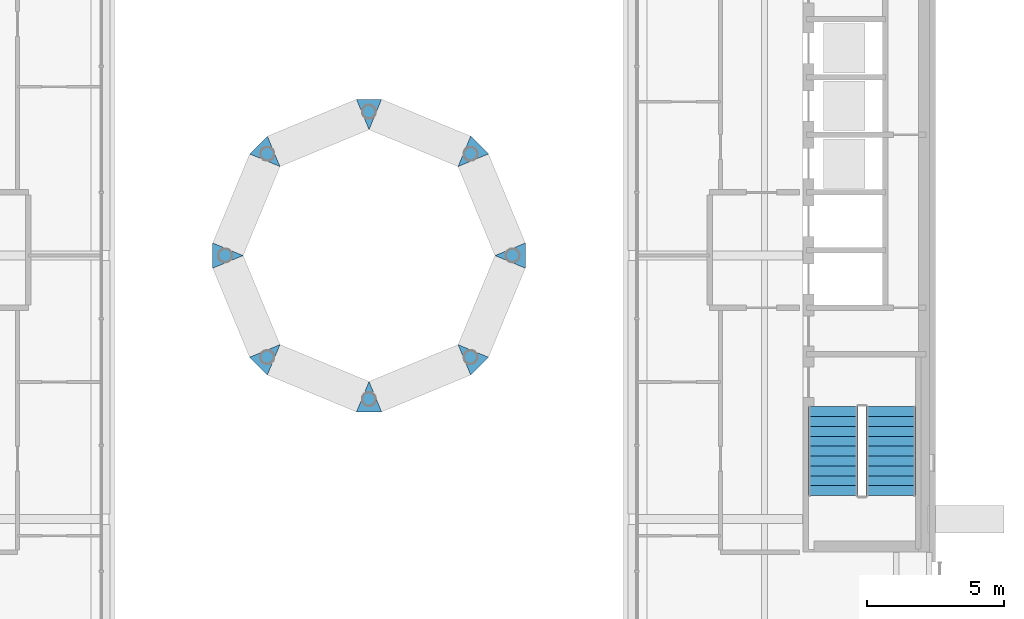
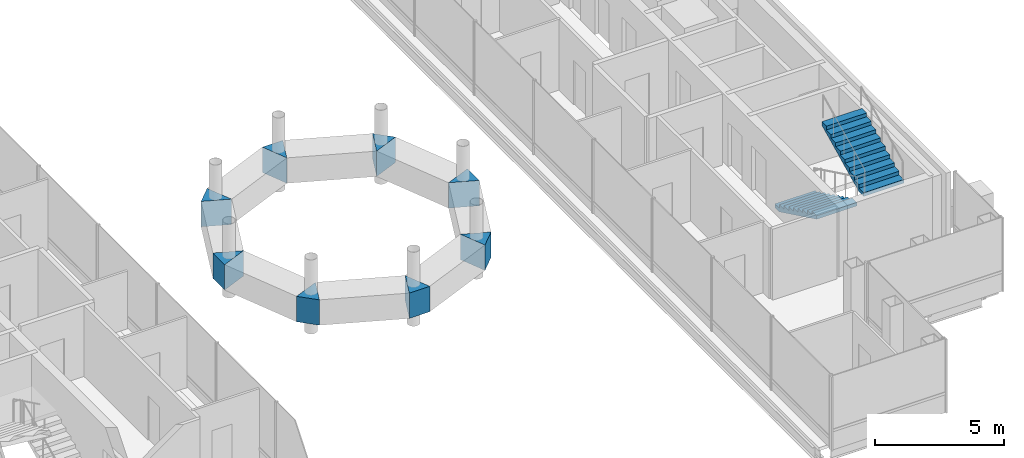
# One storey, part 19 of 21: 8 discrete accessories, 2 stair flights, 1 element without a shape of its own.
"""IFC4 building model written with IfcOpenShell, lengths in metres."""

from ifc_helpers import new_model, si_unit, direction, frame, origin, place, context, subcontext, project, spatial, polyline, outline, extrude, material, type_object, element, aggregate, save


model = new_model("IFC4")

# Units and contexts
model_context = context("Model", 3, precision=1e-05, world=origin(), true_north=direction((0.0, 1.0)))
body_context = subcontext(model_context, "Body", "Model", "MODEL_VIEW")
ifc_project = project(units=[si_unit("LENGTHUNIT", "METRE"), si_unit("AREAUNIT", "SQUARE_METRE"), si_unit("VOLUMEUNIT", "CUBIC_METRE"), si_unit("PLANEANGLEUNIT", "RADIAN"), si_unit("MASSUNIT", "GRAM", prefix="KILO")], contexts=[model_context])

# Site, building, storey
site_placement = place(None, origin())
site = spatial("IfcSite", under=ifc_project, at=site_placement, CompositionType="ELEMENT")
building_placement = place(site_placement, origin())
building = spatial("IfcBuilding", under=site, at=building_placement, Name="Cobrizo Arcos Hotel Tower", CompositionType="ELEMENT")
storey_placement = place(building_placement, frame((0.0, 0.0, 279.5)))
storey = spatial("IfcBuildingStorey", under=building, at=storey_placement, Name="L74", CompositionType="ELEMENT", Elevation=279.5)

# Stair, stair flights
ifc_material_1 = material(Name="Concrete f'c 40 MPa", Category="concrete")
stair_type = type_object("IfcStairType", Name="Exit stair", PredefinedType="HALF_TURN_STAIR", material=ifc_material_1)
stair_placement = place(storey_placement, origin())
stair = element("IfcStair", 1, at=stair_placement, inside=storey, type_object=stair_type, Name="L74 Exit stair ST-E", PredefinedType="HALF_TURN_STAIR")
stair_flight_type = type_object("IfcStairFlightType", Name="Exit stair flight", PredefinedType="STRAIGHT", material=ifc_material_1)
stair_flight_1_placement = place(storey_placement, frame((16.89990234375, -5.5, 0.0), z_axis=(0.0, 0.0, 1.0), x_axis=(0.0, -1.0, 0.0)))
stair_flight_1 = element("IfcStairFlight", 2, at=stair_flight_1_placement, type_object=stair_flight_type, Name="ST-E flight 1", NumberOfRisers=10, NumberOfTreads=9, PredefinedType="STRAIGHT", RiserHeight=0.175, TreadLength=0.36, context=body_context, shape_type="SweptSolid", body=[
    extrude(outline(polyline([(0.0, 0.0), (0.0, 0.175048828125), (0.360107421875, 0.175048828125), (0.360107421875, 0.35009765625), (0.719970703125, 0.35009765625), (0.719970703125, 0.52490234375), (1.080078125, 0.52490234375), (1.080078125, 0.699951171875), (1.43994140625, 0.699951171875), (1.43994140625, 0.875), (1.800048828125, 0.875), (1.800048828125, 1.050048828125), (2.159912109375, 1.050048828125), (2.159912109375, 1.22509765625), (2.52001953125, 1.22509765625), (2.52001953125, 1.39990234375), (2.8798828125, 1.39990234375), (2.8798828125, 1.574951171875), (3.239990234375, 1.574951171875), (3.239990234375, 1.75), (3.239990234375, 1.408203125), (0.3427734375, 0.0), (0.0, 0.0)])), frame((0.0, 0.89990234375, 0.0), z_axis=(0.0, -1.0, 0.0), x_axis=(1.0, 0.0, 0.0)), (0.0, 0.0, 1.0), 1.800048828125),
])
stair_flight_2_placement = place(storey_placement, frame((19.0, -8.739990234375, 1.75), z_axis=(0.0, 0.0, 1.0), x_axis=(0.0, 1.0, 0.0)))
stair_flight_2 = element("IfcStairFlight", 3, at=stair_flight_2_placement, type_object=stair_flight_type, Name="ST-E flight 2", NumberOfRisers=10, NumberOfTreads=9, PredefinedType="STRAIGHT", RiserHeight=0.175, TreadLength=0.36, context=body_context, shape_type="SweptSolid", body=[
    extrude(outline(polyline([(0.0, 0.0), (0.0, 0.175048828125), (0.360107421875, 0.175048828125), (0.360107421875, 0.35009765625), (0.719970703125, 0.35009765625), (0.719970703125, 0.52490234375), (1.080078125, 0.52490234375), (1.080078125, 0.699951171875), (1.43994140625, 0.699951171875), (1.43994140625, 0.875), (1.800048828125, 0.875), (1.800048828125, 1.050048828125), (2.159912109375, 1.050048828125), (2.159912109375, 1.22509765625), (2.52001953125, 1.22509765625), (2.52001953125, 1.39990234375), (2.8798828125, 1.39990234375), (2.8798828125, 1.574951171875), (3.239990234375, 1.574951171875), (3.239990234375, 1.75), (3.239990234375, 1.408203125), (0.3427734375, 0.0), (0.0, 0.0)])), frame((0.0, 0.89990234375, 0.0), z_axis=(0.0, -1.0, 0.0), x_axis=(1.0, 0.0, 0.0)), (0.0, 0.0, 1.0), 1.800048828125),
])
aggregate(stair, [stair_flight_1, stair_flight_2])

# Discrete accessories
ifc_material_2 = material(Name="Steel ASTM A572 Grade 50", Category="steel")
discrete_accessory_type = type_object("IfcDiscreteAccessoryType", Name="DN-1 drum corner node", PredefinedType="BRACKET", material=ifc_material_2)
discrete_accessory_1_placement = place(storey_placement, frame((0.0, 0.0, 0.63330078125)))
element("IfcDiscreteAccessory", 4, at=discrete_accessory_1_placement, inside=storey, type_object=discrete_accessory_type, Name="Drum corner node", PredefinedType="BRACKET", context=body_context, shape_type="SweptSolid", body=[
    extrude(outline(polyline([(5.69189453125, -0.459228515625), (4.583251953125, 0.0), (4.583251953125, 0.0), (5.69189453125, 0.459228515625), (5.69189453125, -0.459228515625)])), origin(), (0.0, 0.0, 1.0), 1.199951171875),
])
discrete_accessory_2_placement = place(storey_placement, frame((0.0, 0.0, 0.63330078125)))
element("IfcDiscreteAccessory", 5, at=discrete_accessory_2_placement, inside=storey, type_object=discrete_accessory_type, Name="Drum corner node", PredefinedType="BRACKET", context=body_context, shape_type="SweptSolid", body=[
    extrude(outline(polyline([(3.24072265625, 3.24072265625), (3.24072265625, 3.24072265625), (3.699951171875, 4.349365234375), (4.349365234375, 3.699951171875), (3.24072265625, 3.24072265625)])), origin(), (0.0, 0.0, 1.0), 1.199951171875),
])
discrete_accessory_3_placement = place(storey_placement, frame((0.0, 0.0, 0.63330078125)))
element("IfcDiscreteAccessory", 6, at=discrete_accessory_3_placement, inside=storey, type_object=discrete_accessory_type, Name="Drum corner node", PredefinedType="BRACKET", context=body_context, shape_type="SweptSolid", body=[
    extrude(outline(polyline([(0.0, 4.583251953125), (-0.459228515625, 5.69189453125), (0.459228515625, 5.69189453125), (0.0, 4.583251953125), (0.0, 4.583251953125)])), origin(), (0.0, 0.0, 1.0), 1.199951171875),
])
discrete_accessory_4_placement = place(storey_placement, frame((0.0, 0.0, 0.63330078125)))
element("IfcDiscreteAccessory", 7, at=discrete_accessory_4_placement, inside=storey, type_object=discrete_accessory_type, Name="Drum corner node", PredefinedType="BRACKET", context=body_context, shape_type="SweptSolid", body=[
    extrude(outline(polyline([(-3.24072265625, 3.24072265625), (-4.349365234375, 3.699951171875), (-3.699951171875, 4.349365234375), (-3.24072265625, 3.24072265625), (-3.24072265625, 3.24072265625)])), origin(), (0.0, 0.0, 1.0), 1.199951171875),
])
discrete_accessory_5_placement = place(storey_placement, frame((0.0, 0.0, 0.63330078125)))
element("IfcDiscreteAccessory", 8, at=discrete_accessory_5_placement, inside=storey, type_object=discrete_accessory_type, Name="Drum corner node", PredefinedType="BRACKET", context=body_context, shape_type="SweptSolid", body=[
    extrude(outline(polyline([(-5.69189453125, -0.459228515625), (-5.69189453125, 0.459228515625), (-4.583251953125, 0.0), (-4.583251953125, 0.0), (-5.69189453125, -0.459228515625)])), origin(), (0.0, 0.0, 1.0), 1.199951171875),
])
discrete_accessory_6_placement = place(storey_placement, frame((0.0, 0.0, 0.63330078125)))
element("IfcDiscreteAccessory", 9, at=discrete_accessory_6_placement, inside=storey, type_object=discrete_accessory_type, Name="Drum corner node", PredefinedType="BRACKET", context=body_context, shape_type="SweptSolid", body=[
    extrude(outline(polyline([(-3.699951171875, -4.349365234375), (-4.349365234375, -3.699951171875), (-3.24072265625, -3.24072265625), (-3.24072265625, -3.24072265625), (-3.699951171875, -4.349365234375)])), origin(), (0.0, 0.0, 1.0), 1.199951171875),
])
discrete_accessory_7_placement = place(storey_placement, frame((0.0, 0.0, 0.63330078125)))
element("IfcDiscreteAccessory", 10, at=discrete_accessory_7_placement, inside=storey, type_object=discrete_accessory_type, Name="Drum corner node", PredefinedType="BRACKET", context=body_context, shape_type="SweptSolid", body=[
    extrude(outline(polyline([(-0.459228515625, -5.69189453125), (0.0, -4.583251953125), (0.0, -4.583251953125), (0.459228515625, -5.69189453125), (-0.459228515625, -5.69189453125)])), origin(), (0.0, 0.0, 1.0), 1.199951171875),
])
discrete_accessory_8_placement = place(storey_placement, frame((0.0, 0.0, 0.63330078125)))
element("IfcDiscreteAccessory", 11, at=discrete_accessory_8_placement, inside=storey, type_object=discrete_accessory_type, Name="Drum corner node", PredefinedType="BRACKET", context=body_context, shape_type="SweptSolid", body=[
    extrude(outline(polyline([(3.699951171875, -4.349365234375), (3.24072265625, -3.24072265625), (3.24072265625, -3.24072265625), (4.349365234375, -3.699951171875), (3.699951171875, -4.349365234375)])), origin(), (0.0, 0.0, 1.0), 1.199951171875),
])

save(model, "model.ifc")
